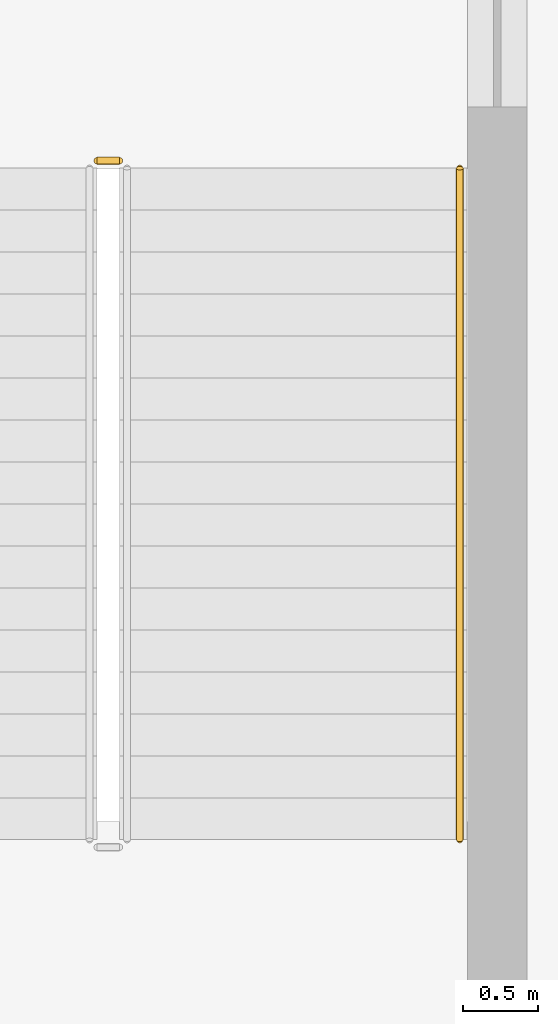
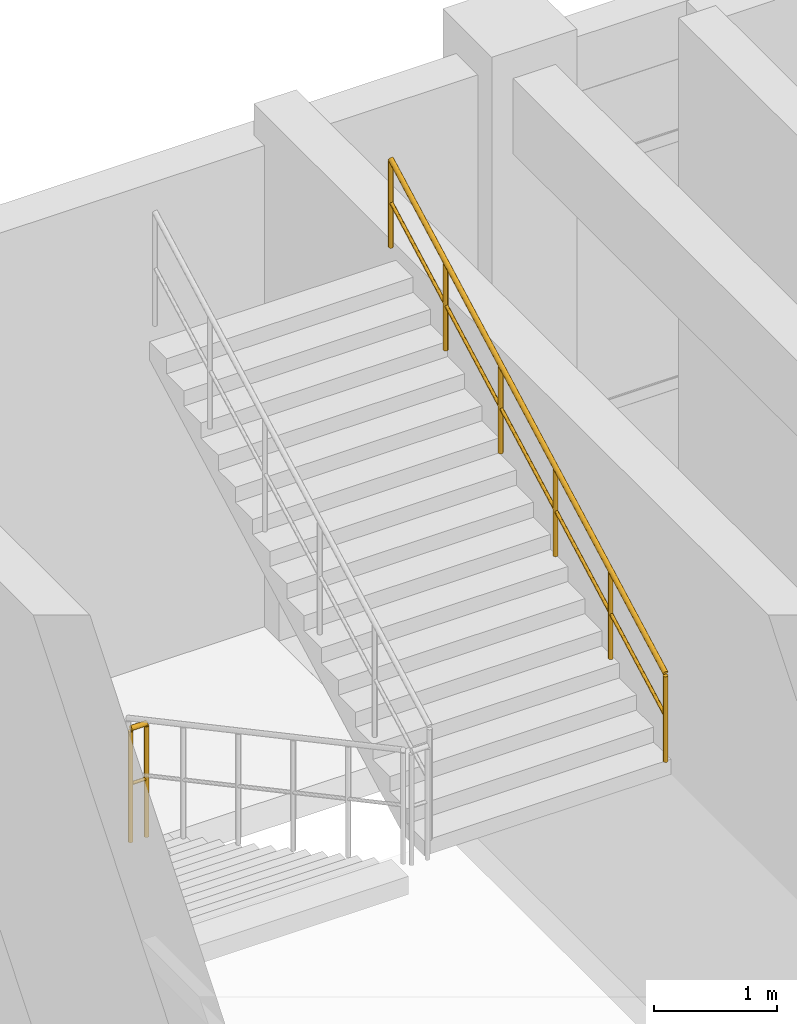
# One storey, part 93 of 96: 2 railings.
"""IFC4 building model written with IfcOpenShell, lengths in metres."""

from ifc_helpers import new_model, si_unit, derived_unit, direction, frame, origin, origin_2d, place, context, subcontext, project, spatial, circle, extrude, material, type_object, element, save


model = new_model("IFC4")

# Units and contexts
model_context = context("Model", 3, precision=1e-05, world=origin(), true_north=direction((0.0, 1.0)))
body_context = subcontext(model_context, "Body", "Model", "MODEL_VIEW")
ifc_project = project(units=[si_unit("LENGTHUNIT", "METRE"), si_unit("AREAUNIT", "SQUARE_METRE"), si_unit("VOLUMEUNIT", "CUBIC_METRE"), si_unit("PLANEANGLEUNIT", "RADIAN"), si_unit("MASSUNIT", "GRAM", prefix="KILO"), derived_unit("THERMALTRANSMITTANCEUNIT", [(si_unit("MASSUNIT", "GRAM", prefix="KILO"), 1), (si_unit("TIMEUNIT", "SECOND"), -3), (si_unit("THERMODYNAMICTEMPERATUREUNIT", "KELVIN"), -1)])], contexts=[model_context])

# Site, building, storey
site_placement = place(None, origin())
site = spatial("IfcSite", under=ifc_project, at=site_placement, CompositionType="ELEMENT")
building_placement = place(site_placement, origin())
building = spatial("IfcBuilding", under=site, at=building_placement, Name="Qinzheling Arcade Emporium", CompositionType="ELEMENT")
storey_placement = place(building_placement, frame((0.0, 0.0, 21.60009765625)))
storey = spatial("IfcBuildingStorey", under=building, at=storey_placement, Name="L05", CompositionType="ELEMENT", Elevation=21.60009765625)

# Railings
ifc_material_1 = material(Name="Galvanised powder-coated tubular steel", Category="steel")
railing_type_1 = type_object("IfcRailingType", Name="Painted Steel Stairwell Guard Railing 1150", PredefinedType="GUARDRAIL", material=ifc_material_1)
railing_1_placement = place(storey_placement, frame((38.6201171875, 71.530029296875, 0.0)))
element("IfcRailing", 1, at=railing_1_placement, inside=storey, type_object=railing_type_1, Name="L05 ST03 stair guard 4", PredefinedType="GUARDRAIL", context=body_context, shape_type="SweptSolid", body=[
    extrude(circle(Radius=0.02392578125, at=origin_2d()), frame((0.0, 0.0, 1.1259765625), z_axis=(1.0, 0.0, 0.0), x_axis=(0.0, 1.0, 0.0)), (0.0, 0.0, 1.0), 0.14990234375),
    extrude(circle(Radius=0.01611328125, at=origin_2d()), frame((0.0, 0.0, 0.574951171875), z_axis=(1.0, 0.0, 0.0), x_axis=(0.0, 1.0, 0.0)), (0.0, 0.0, 1.0), 0.14990234375),
    extrude(circle(Radius=0.02099609375, at=origin_2d()), origin(), (0.0, 0.0, 1.0), 1.101806640625),
    extrude(circle(Radius=0.02099609375, at=origin_2d()), frame((0.14990234375, 0.0, 0.0)), (0.0, 0.0, 1.0), 1.101806640625),
])
ifc_material_2 = material(Name="Brushed stainless steel 304", Category="steel")
railing_type_2 = type_object("IfcRailingType", Name="Stainless Steel Wall Handrail 900", PredefinedType="HANDRAIL", material=ifc_material_2)
railing_2_placement = place(storey_placement, frame((41.0400390625, 67.0, 2.699951171875)))
element("IfcRailing", 2, at=railing_2_placement, inside=storey, type_object=railing_type_2, Name="L05 ST03 stair handrail 2", PredefinedType="HANDRAIL", context=body_context, shape_type="SweptSolid", body=[
    extrude(circle(Radius=0.02392578125, at=origin_2d()), frame((0.0, 0.0, 0.8759765625), z_axis=(0.0, 0.881487111273, 0.472208081951), x_axis=(-1.0, 0.0, 0.0)), (0.0, 0.0, 1.0), 5.082275390625),
    extrude(circle(Radius=0.01611328125, at=origin_2d()), frame((0.0, 0.0, 0.449951171875), z_axis=(0.0, 0.881487111273, 0.472208081951), x_axis=(-1.0, 0.0, 0.0)), (0.0, 0.0, 1.0), 5.082275390625),
    extrude(circle(Radius=0.02099609375, at=origin_2d()), origin(), (0.0, 0.0, 1.0), 0.851806640625),
    extrude(circle(Radius=0.02099609375, at=origin_2d()), frame((0.0, 0.89599609375, 0.47998046875)), (0.0, 0.0, 1.0), 0.851806640625),
    extrude(circle(Radius=0.02099609375, at=origin_2d()), frame((0.0, 1.7919921875, 0.9599609375)), (0.0, 0.0, 1.0), 0.851806640625),
    extrude(circle(Radius=0.02099609375, at=origin_2d()), frame((0.0, 2.68798828125, 1.43994140625)), (0.0, 0.0, 1.0), 0.851806640625),
    extrude(circle(Radius=0.02099609375, at=origin_2d()), frame((0.0, 3.583984375, 1.919921875)), (0.0, 0.0, 1.0), 0.851806640625),
    extrude(circle(Radius=0.02099609375, at=origin_2d()), frame((0.0, 4.47998046875, 2.39990234375)), (0.0, 0.0, 1.0), 0.851806640625),
])

save(model, "model.ifc")
